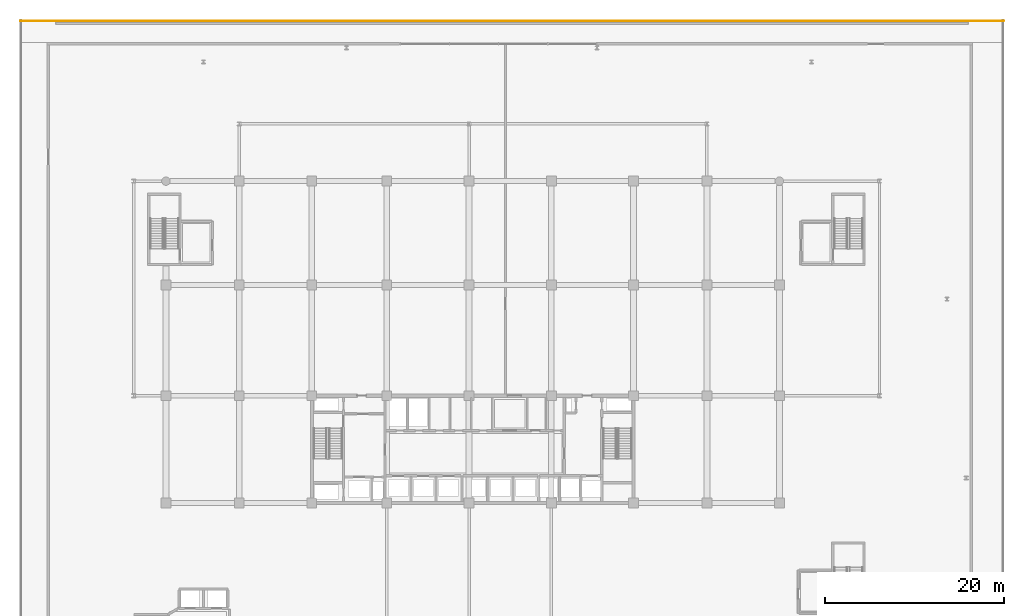
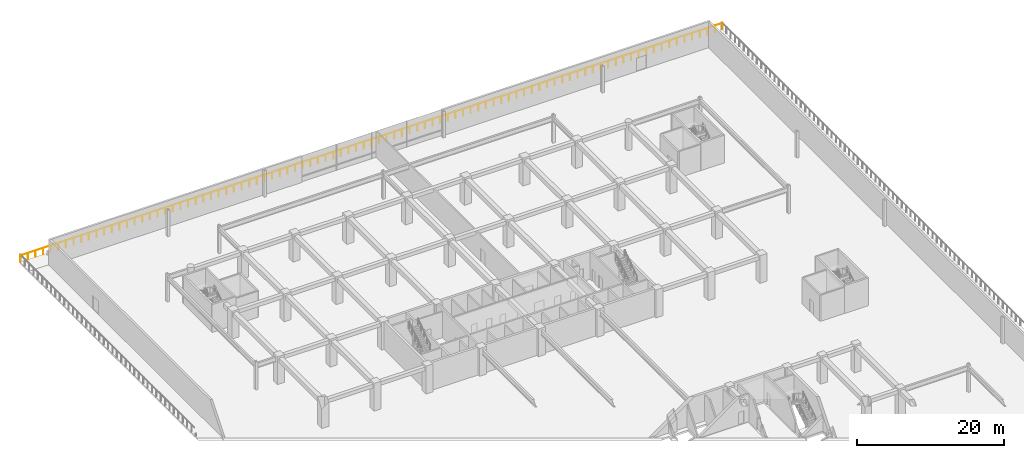
# One storey, part 45 of 45: 1 railing.
"""IFC4 building model written with IfcOpenShell, lengths in metres."""

from ifc_helpers import new_model, si_unit, direction, frame, origin, origin_2d, place, context, subcontext, project, spatial, circle, extrude, material, type_object, element, save


model = new_model("IFC4")

# Units and contexts
model_context = context("Model", 3, precision=1e-05, world=origin(), true_north=direction((0.0, 1.0)))
body_context = subcontext(model_context, "Body", "Model", "MODEL_VIEW")
ifc_project = project(units=[si_unit("LENGTHUNIT", "METRE"), si_unit("AREAUNIT", "SQUARE_METRE"), si_unit("VOLUMEUNIT", "CUBIC_METRE"), si_unit("PLANEANGLEUNIT", "RADIAN"), si_unit("MASSUNIT", "GRAM", prefix="KILO")], contexts=[model_context])

# Site, building, storey
site_placement = place(None, origin())
site = spatial("IfcSite", under=ifc_project, at=site_placement, CompositionType="ELEMENT")
building_placement = place(site_placement, origin())
building = spatial("IfcBuilding", under=site, at=building_placement, Name="Korimba Cascade Residences", CompositionType="ELEMENT")
storey_placement = place(building_placement, frame((0.0, 0.0, 5.39990234375)))
storey = spatial("IfcBuildingStorey", under=building, at=storey_placement, Name="L01", CompositionType="ELEMENT", Elevation=5.39990234375)

# Railing
ifc_material = material(Name="Painted Galvanised Steel Terrace Guardrail", Category="steel")
railing_type = type_object("IfcRailingType", Name="RLG-TER-1150", PredefinedType="GUARDRAIL", material=ifc_material)
railing_placement = place(storey_placement, frame((153.5, 109.1201171875, 0.0)))
element("IfcRailing", 1, at=railing_placement, inside=storey, type_object=railing_type, Name="L01 Perimeter Guardrail RLG-L01-TER-03", PredefinedType="GUARDRAIL", context=body_context, shape_type="SweptSolid", body=[
    extrude(circle(Radius=0.02392578125, at=origin_2d()), frame((0.0, 0.0, 1.1259765625), z_axis=(-1.0, 0.0, 0.0), x_axis=(0.0, -1.0, 0.0)), (0.0, 0.0, 1.0), 110.0),
    extrude(circle(Radius=0.02099609375, at=origin_2d()), origin(), (0.0, 0.0, 1.0), 1.101806640625),
    extrude(circle(Radius=0.02099609375, at=origin_2d()), frame((-1.195556640625, 0.0, 0.0)), (0.0, 0.0, 1.0), 1.101806640625),
    extrude(circle(Radius=0.02099609375, at=origin_2d()), frame((-2.391357421875, 0.0, 0.0)), (0.0, 0.0, 1.0), 1.101806640625),
    extrude(circle(Radius=0.02099609375, at=origin_2d()), frame((-3.5869140625, 0.0, 0.0)), (0.0, 0.0, 1.0), 1.101806640625),
    extrude(circle(Radius=0.02099609375, at=origin_2d()), frame((-4.78271484375, 0.0, 0.0)), (0.0, 0.0, 1.0), 1.101806640625),
    extrude(circle(Radius=0.02099609375, at=origin_2d()), frame((-5.978271484375, 0.0, 0.0)), (0.0, 0.0, 1.0), 1.101806640625),
    extrude(circle(Radius=0.02099609375, at=origin_2d()), frame((-7.173828125, 0.0, 0.0)), (0.0, 0.0, 1.0), 1.101806640625),
    extrude(circle(Radius=0.02099609375, at=origin_2d()), frame((-8.36962890625, 0.0, 0.0)), (0.0, 0.0, 1.0), 1.101806640625),
    extrude(circle(Radius=0.02099609375, at=origin_2d()), frame((-9.565185546875, 0.0, 0.0)), (0.0, 0.0, 1.0), 1.101806640625),
    extrude(circle(Radius=0.02099609375, at=origin_2d()), frame((-10.760986328125, 0.0, 0.0)), (0.0, 0.0, 1.0), 1.101806640625),
    extrude(circle(Radius=0.02099609375, at=origin_2d()), frame((-11.95654296875, 0.0, 0.0)), (0.0, 0.0, 1.0), 1.101806640625),
    extrude(circle(Radius=0.02099609375, at=origin_2d()), frame((-13.152099609375, 0.0, 0.0)), (0.0, 0.0, 1.0), 1.101806640625),
    extrude(circle(Radius=0.02099609375, at=origin_2d()), frame((-14.347900390625, 0.0, 0.0)), (0.0, 0.0, 1.0), 1.101806640625),
    extrude(circle(Radius=0.02099609375, at=origin_2d()), frame((-15.54345703125, 0.0, 0.0)), (0.0, 0.0, 1.0), 1.101806640625),
    extrude(circle(Radius=0.02099609375, at=origin_2d()), frame((-16.739013671875, 0.0, 0.0)), (0.0, 0.0, 1.0), 1.101806640625),
    extrude(circle(Radius=0.02099609375, at=origin_2d()), frame((-17.934814453125, 0.0, 0.0)), (0.0, 0.0, 1.0), 1.101806640625),
    extrude(circle(Radius=0.02099609375, at=origin_2d()), frame((-19.13037109375, 0.0, 0.0)), (0.0, 0.0, 1.0), 1.101806640625),
    extrude(circle(Radius=0.02099609375, at=origin_2d()), frame((-20.326171875, 0.0, 0.0)), (0.0, 0.0, 1.0), 1.101806640625),
    extrude(circle(Radius=0.02099609375, at=origin_2d()), frame((-21.521728515625, 0.0, 0.0)), (0.0, 0.0, 1.0), 1.101806640625),
    extrude(circle(Radius=0.02099609375, at=origin_2d()), frame((-22.71728515625, 0.0, 0.0)), (0.0, 0.0, 1.0), 1.101806640625),
    extrude(circle(Radius=0.02099609375, at=origin_2d()), frame((-23.9130859375, 0.0, 0.0)), (0.0, 0.0, 1.0), 1.101806640625),
    extrude(circle(Radius=0.02099609375, at=origin_2d()), frame((-25.108642578125, 0.0, 0.0)), (0.0, 0.0, 1.0), 1.101806640625),
    extrude(circle(Radius=0.02099609375, at=origin_2d()), frame((-26.304443359375, 0.0, 0.0)), (0.0, 0.0, 1.0), 1.101806640625),
    extrude(circle(Radius=0.02099609375, at=origin_2d()), frame((-27.5, 0.0, 0.0)), (0.0, 0.0, 1.0), 1.101806640625),
    extrude(circle(Radius=0.02099609375, at=origin_2d()), frame((-28.695556640625, 0.0, 0.0)), (0.0, 0.0, 1.0), 1.101806640625),
    extrude(circle(Radius=0.02099609375, at=origin_2d()), frame((-29.891357421875, 0.0, 0.0)), (0.0, 0.0, 1.0), 1.101806640625),
    extrude(circle(Radius=0.02099609375, at=origin_2d()), frame((-31.0869140625, 0.0, 0.0)), (0.0, 0.0, 1.0), 1.101806640625),
    extrude(circle(Radius=0.02099609375, at=origin_2d()), frame((-32.28271484375, 0.0, 0.0)), (0.0, 0.0, 1.0), 1.101806640625),
    extrude(circle(Radius=0.02099609375, at=origin_2d()), frame((-33.478271484375, 0.0, 0.0)), (0.0, 0.0, 1.0), 1.101806640625),
    extrude(circle(Radius=0.02099609375, at=origin_2d()), frame((-34.673828125, 0.0, 0.0)), (0.0, 0.0, 1.0), 1.101806640625),
    extrude(circle(Radius=0.02099609375, at=origin_2d()), frame((-35.86962890625, 0.0, 0.0)), (0.0, 0.0, 1.0), 1.101806640625),
    extrude(circle(Radius=0.02099609375, at=origin_2d()), frame((-37.065185546875, 0.0, 0.0)), (0.0, 0.0, 1.0), 1.101806640625),
    extrude(circle(Radius=0.02099609375, at=origin_2d()), frame((-38.260986328125, 0.0, 0.0)), (0.0, 0.0, 1.0), 1.101806640625),
    extrude(circle(Radius=0.02099609375, at=origin_2d()), frame((-39.45654296875, 0.0, 0.0)), (0.0, 0.0, 1.0), 1.101806640625),
    extrude(circle(Radius=0.02099609375, at=origin_2d()), frame((-40.652099609375, 0.0, 0.0)), (0.0, 0.0, 1.0), 1.101806640625),
    extrude(circle(Radius=0.02099609375, at=origin_2d()), frame((-41.847900390625, 0.0, 0.0)), (0.0, 0.0, 1.0), 1.101806640625),
    extrude(circle(Radius=0.02099609375, at=origin_2d()), frame((-43.04345703125, 0.0, 0.0)), (0.0, 0.0, 1.0), 1.101806640625),
    extrude(circle(Radius=0.02099609375, at=origin_2d()), frame((-44.239013671875, 0.0, 0.0)), (0.0, 0.0, 1.0), 1.101806640625),
    extrude(circle(Radius=0.02099609375, at=origin_2d()), frame((-45.434814453125, 0.0, 0.0)), (0.0, 0.0, 1.0), 1.101806640625),
    extrude(circle(Radius=0.02099609375, at=origin_2d()), frame((-46.63037109375, 0.0, 0.0)), (0.0, 0.0, 1.0), 1.101806640625),
    extrude(circle(Radius=0.02099609375, at=origin_2d()), frame((-47.826171875, 0.0, 0.0)), (0.0, 0.0, 1.0), 1.101806640625),
    extrude(circle(Radius=0.02099609375, at=origin_2d()), frame((-49.021728515625, 0.0, 0.0)), (0.0, 0.0, 1.0), 1.101806640625),
    extrude(circle(Radius=0.02099609375, at=origin_2d()), frame((-50.21728515625, 0.0, 0.0)), (0.0, 0.0, 1.0), 1.101806640625),
    extrude(circle(Radius=0.02099609375, at=origin_2d()), frame((-51.4130859375, 0.0, 0.0)), (0.0, 0.0, 1.0), 1.101806640625),
    extrude(circle(Radius=0.02099609375, at=origin_2d()), frame((-52.608642578125, 0.0, 0.0)), (0.0, 0.0, 1.0), 1.101806640625),
    extrude(circle(Radius=0.02099609375, at=origin_2d()), frame((-53.804443359375, 0.0, 0.0)), (0.0, 0.0, 1.0), 1.101806640625),
    extrude(circle(Radius=0.02099609375, at=origin_2d()), frame((-55.0, 0.0, 0.0)), (0.0, 0.0, 1.0), 1.101806640625),
    extrude(circle(Radius=0.02099609375, at=origin_2d()), frame((-56.195556640625, 0.0, 0.0)), (0.0, 0.0, 1.0), 1.101806640625),
    extrude(circle(Radius=0.02099609375, at=origin_2d()), frame((-57.391357421875, 0.0, 0.0)), (0.0, 0.0, 1.0), 1.101806640625),
    extrude(circle(Radius=0.02099609375, at=origin_2d()), frame((-58.5869140625, 0.0, 0.0)), (0.0, 0.0, 1.0), 1.101806640625),
    extrude(circle(Radius=0.02099609375, at=origin_2d()), frame((-59.78271484375, 0.0, 0.0)), (0.0, 0.0, 1.0), 1.101806640625),
    extrude(circle(Radius=0.02099609375, at=origin_2d()), frame((-60.978271484375, 0.0, 0.0)), (0.0, 0.0, 1.0), 1.101806640625),
    extrude(circle(Radius=0.02099609375, at=origin_2d()), frame((-62.173828125, 0.0, 0.0)), (0.0, 0.0, 1.0), 1.101806640625),
    extrude(circle(Radius=0.02099609375, at=origin_2d()), frame((-63.36962890625, 0.0, 0.0)), (0.0, 0.0, 1.0), 1.101806640625),
    extrude(circle(Radius=0.02099609375, at=origin_2d()), frame((-64.565185546875, 0.0, 0.0)), (0.0, 0.0, 1.0), 1.101806640625),
    extrude(circle(Radius=0.02099609375, at=origin_2d()), frame((-65.760986328125, 0.0, 0.0)), (0.0, 0.0, 1.0), 1.101806640625),
    extrude(circle(Radius=0.02099609375, at=origin_2d()), frame((-66.95654296875, 0.0, 0.0)), (0.0, 0.0, 1.0), 1.101806640625),
    extrude(circle(Radius=0.02099609375, at=origin_2d()), frame((-68.152099609375, 0.0, 0.0)), (0.0, 0.0, 1.0), 1.101806640625),
    extrude(circle(Radius=0.02099609375, at=origin_2d()), frame((-69.347900390625, 0.0, 0.0)), (0.0, 0.0, 1.0), 1.101806640625),
    extrude(circle(Radius=0.02099609375, at=origin_2d()), frame((-70.54345703125, 0.0, 0.0)), (0.0, 0.0, 1.0), 1.101806640625),
    extrude(circle(Radius=0.02099609375, at=origin_2d()), frame((-71.739013671875, 0.0, 0.0)), (0.0, 0.0, 1.0), 1.101806640625),
    extrude(circle(Radius=0.02099609375, at=origin_2d()), frame((-72.934814453125, 0.0, 0.0)), (0.0, 0.0, 1.0), 1.101806640625),
    extrude(circle(Radius=0.02099609375, at=origin_2d()), frame((-74.13037109375, 0.0, 0.0)), (0.0, 0.0, 1.0), 1.101806640625),
    extrude(circle(Radius=0.02099609375, at=origin_2d()), frame((-75.326171875, 0.0, 0.0)), (0.0, 0.0, 1.0), 1.101806640625),
    extrude(circle(Radius=0.02099609375, at=origin_2d()), frame((-76.521728515625, 0.0, 0.0)), (0.0, 0.0, 1.0), 1.101806640625),
    extrude(circle(Radius=0.02099609375, at=origin_2d()), frame((-77.71728515625, 0.0, 0.0)), (0.0, 0.0, 1.0), 1.101806640625),
    extrude(circle(Radius=0.02099609375, at=origin_2d()), frame((-78.9130859375, 0.0, 0.0)), (0.0, 0.0, 1.0), 1.101806640625),
    extrude(circle(Radius=0.02099609375, at=origin_2d()), frame((-80.108642578125, 0.0, 0.0)), (0.0, 0.0, 1.0), 1.101806640625),
    extrude(circle(Radius=0.02099609375, at=origin_2d()), frame((-81.304443359375, 0.0, 0.0)), (0.0, 0.0, 1.0), 1.101806640625),
    extrude(circle(Radius=0.02099609375, at=origin_2d()), frame((-82.5, 0.0, 0.0)), (0.0, 0.0, 1.0), 1.101806640625),
    extrude(circle(Radius=0.02099609375, at=origin_2d()), frame((-83.695556640625, 0.0, 0.0)), (0.0, 0.0, 1.0), 1.101806640625),
    extrude(circle(Radius=0.02099609375, at=origin_2d()), frame((-84.891357421875, 0.0, 0.0)), (0.0, 0.0, 1.0), 1.101806640625),
    extrude(circle(Radius=0.02099609375, at=origin_2d()), frame((-86.0869140625, 0.0, 0.0)), (0.0, 0.0, 1.0), 1.101806640625),
    extrude(circle(Radius=0.02099609375, at=origin_2d()), frame((-87.28271484375, 0.0, 0.0)), (0.0, 0.0, 1.0), 1.101806640625),
    extrude(circle(Radius=0.02099609375, at=origin_2d()), frame((-88.478271484375, 0.0, 0.0)), (0.0, 0.0, 1.0), 1.101806640625),
    extrude(circle(Radius=0.02099609375, at=origin_2d()), frame((-89.673828125, 0.0, 0.0)), (0.0, 0.0, 1.0), 1.101806640625),
    extrude(circle(Radius=0.02099609375, at=origin_2d()), frame((-90.86962890625, 0.0, 0.0)), (0.0, 0.0, 1.0), 1.101806640625),
    extrude(circle(Radius=0.02099609375, at=origin_2d()), frame((-92.065185546875, 0.0, 0.0)), (0.0, 0.0, 1.0), 1.101806640625),
    extrude(circle(Radius=0.02099609375, at=origin_2d()), frame((-93.260986328125, 0.0, 0.0)), (0.0, 0.0, 1.0), 1.101806640625),
    extrude(circle(Radius=0.02099609375, at=origin_2d()), frame((-94.45654296875, 0.0, 0.0)), (0.0, 0.0, 1.0), 1.101806640625),
    extrude(circle(Radius=0.02099609375, at=origin_2d()), frame((-95.652099609375, 0.0, 0.0)), (0.0, 0.0, 1.0), 1.101806640625),
    extrude(circle(Radius=0.02099609375, at=origin_2d()), frame((-96.847900390625, 0.0, 0.0)), (0.0, 0.0, 1.0), 1.101806640625),
    extrude(circle(Radius=0.02099609375, at=origin_2d()), frame((-98.04345703125, 0.0, 0.0)), (0.0, 0.0, 1.0), 1.101806640625),
    extrude(circle(Radius=0.02099609375, at=origin_2d()), frame((-99.239013671875, 0.0, 0.0)), (0.0, 0.0, 1.0), 1.101806640625),
    extrude(circle(Radius=0.02099609375, at=origin_2d()), frame((-100.434814453125, 0.0, 0.0)), (0.0, 0.0, 1.0), 1.101806640625),
    extrude(circle(Radius=0.02099609375, at=origin_2d()), frame((-101.63037109375, 0.0, 0.0)), (0.0, 0.0, 1.0), 1.101806640625),
    extrude(circle(Radius=0.02099609375, at=origin_2d()), frame((-102.826171875, 0.0, 0.0)), (0.0, 0.0, 1.0), 1.101806640625),
    extrude(circle(Radius=0.02099609375, at=origin_2d()), frame((-104.021728515625, 0.0, 0.0)), (0.0, 0.0, 1.0), 1.101806640625),
    extrude(circle(Radius=0.02099609375, at=origin_2d()), frame((-105.21728515625, 0.0, 0.0)), (0.0, 0.0, 1.0), 1.101806640625),
    extrude(circle(Radius=0.02099609375, at=origin_2d()), frame((-106.4130859375, 0.0, 0.0)), (0.0, 0.0, 1.0), 1.101806640625),
    extrude(circle(Radius=0.02099609375, at=origin_2d()), frame((-107.608642578125, 0.0, 0.0)), (0.0, 0.0, 1.0), 1.101806640625),
    extrude(circle(Radius=0.02099609375, at=origin_2d()), frame((-108.804443359375, 0.0, 0.0)), (0.0, 0.0, 1.0), 1.101806640625),
    extrude(circle(Radius=0.02099609375, at=origin_2d()), frame((-110.0, 0.0, 0.0)), (0.0, 0.0, 1.0), 1.101806640625),
])

save(model, "model.ifc")
